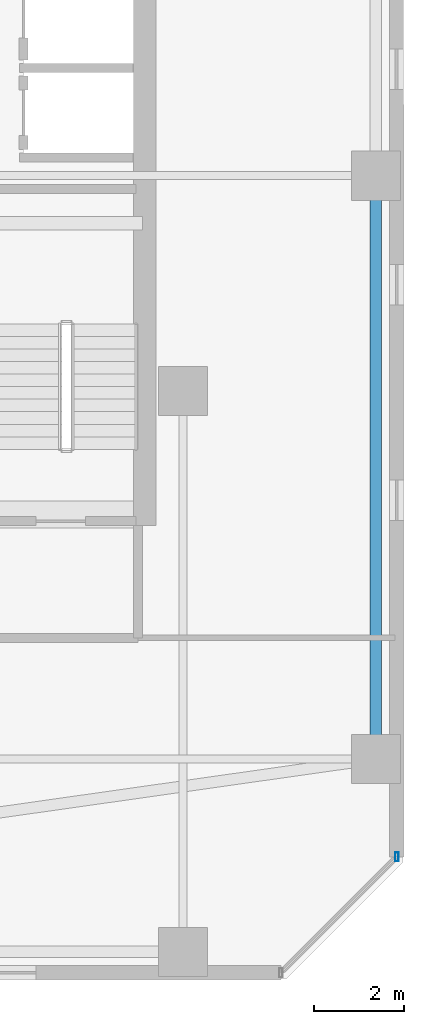
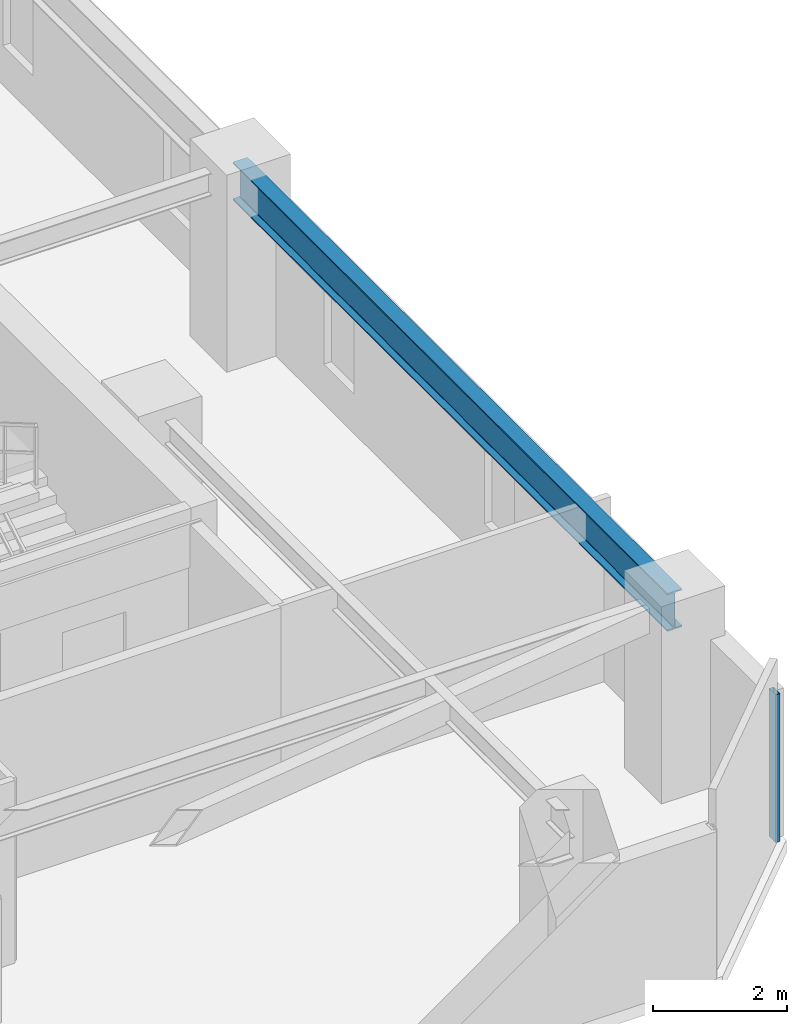
# One storey, part 15 of 32: 1 beam, 1 member, 1 element without a shape of its own.
"""IFC4 building model written with IfcOpenShell, lengths in metres."""

from ifc_helpers import new_model, si_unit, direction, frame, origin, origin_2d, place, context, subcontext, project, spatial, hollow_rectangle, i_section, extrude, material, material_profile, profile_set, type_object, element, aggregate, save


model = new_model("IFC4")

# Units and contexts
model_context = context("Model", 3, precision=1e-05, world=origin(), true_north=direction((0.0, 1.0)))
body_context = subcontext(model_context, "Body", "Model", "MODEL_VIEW")
ifc_project = project(units=[si_unit("LENGTHUNIT", "METRE"), si_unit("AREAUNIT", "SQUARE_METRE"), si_unit("VOLUMEUNIT", "CUBIC_METRE"), si_unit("PLANEANGLEUNIT", "RADIAN"), si_unit("MASSUNIT", "GRAM", prefix="KILO")], contexts=[model_context])

# Site, building, storey
site_placement = place(None, origin())
site = spatial("IfcSite", under=ifc_project, at=site_placement, CompositionType="ELEMENT")
building_placement = place(site_placement, origin())
building = spatial("IfcBuilding", under=site, at=building_placement, Name="Thornwick Lancets Civic Towers", CompositionType="ELEMENT")
storey_placement = place(building_placement, frame((0.0, 0.0, 178.5)))
storey = spatial("IfcBuildingStorey", under=building, at=storey_placement, Name="L47", CompositionType="ELEMENT", Elevation=178.5)

# Beam
ifc_material_1 = material(Name="Steel S355JR", Category="steel")
ifc_material_profile_1 = material_profile(ifc_material_1, i_section(OverallWidth=0.255859375, OverallDepth=0.69287109375, WebThickness=0.014404296875, FlangeThickness=0.023681640625, FilletRadius=0.01513671875, at=origin_2d()), Name="UKB 686x254x170")
ifc_profile_set_1 = profile_set([ifc_material_profile_1], Name="Steel S355JR")
beam_type = type_object("IfcBeamType", Name="BM_GIRD_686_170", PredefinedType="BEAM", material=ifc_profile_set_1)
beam_placement = place(storey_placement, frame((105.800048828125, 14.0, 3.013671875), z_axis=(0.0, 1.0, 0.0), x_axis=(-1.0, 0.0, 0.0)))
element("IfcBeam", 1, at=beam_placement, inside=storey, type_object=beam_type, Name="BM-SPINE-L47-B-0-1", PredefinedType="BEAM", context=body_context, shape_type="SweptSolid", body=[
    extrude(i_section(OverallWidth=0.255859375, OverallDepth=0.69287109375, WebThickness=0.014404296875, FlangeThickness=0.023681640625, FilletRadius=0.01513671875, at=origin_2d()), origin(), (0.0, 0.0, 1.0), 13.0),
])

# Curtain wall, member
ifc_material_2 = material(Name="Mid-zone chamfered-corner unitised glass curtain wall", Category="glass")
curtain_wall_type = type_object("IfcCurtainWallType", Name="CW_SYS_04", PredefinedType="NOTDEFINED", material=ifc_material_2)
curtain_wall_placement = place(storey_placement, origin())
curtain_wall = element("IfcCurtainWall", 2, at=curtain_wall_placement, inside=storey, type_object=curtain_wall_type, Name="L47 Curtain Wall CW-L47-B-E1", PredefinedType="NOTDEFINED")
ifc_material_3 = material(Name="Thermally broken bronze aluminium S355", Category="steel")
ifc_material_profile_2 = material_profile(ifc_material_3, hollow_rectangle(XDim=0.080078125, YDim=0.199951171875, WallThickness=0.006103515625, at=origin_2d()), Name="RHS 200x80x6")
ifc_profile_set_2 = profile_set([ifc_material_profile_2], Name="Thermally broken bronze aluminium S355")
member_type = type_object("IfcMemberType", Name="CW_MUL_200", PredefinedType="MULLION", material=ifc_profile_set_2)
member_placement = place(storey_placement, frame((106.2646484375, 11.818603515625, 0.0), z_axis=(0.0, 0.0, 1.0), x_axis=(1.0, 0.0, 0.0)))
member = element("IfcMember", 3, at=member_placement, type_object=member_type, Name="CW-L47-B-E1 Mullion 1", PredefinedType="MULLION", context=body_context, shape_type="SweptSolid", body=[
    extrude(hollow_rectangle(XDim=0.080078125, YDim=0.199951171875, WallThickness=0.006103515625, at=origin_2d()), origin(), (0.0, 0.0, 1.0), 2.699951171875),
])
aggregate(curtain_wall, [member])

save(model, "model.ifc")
